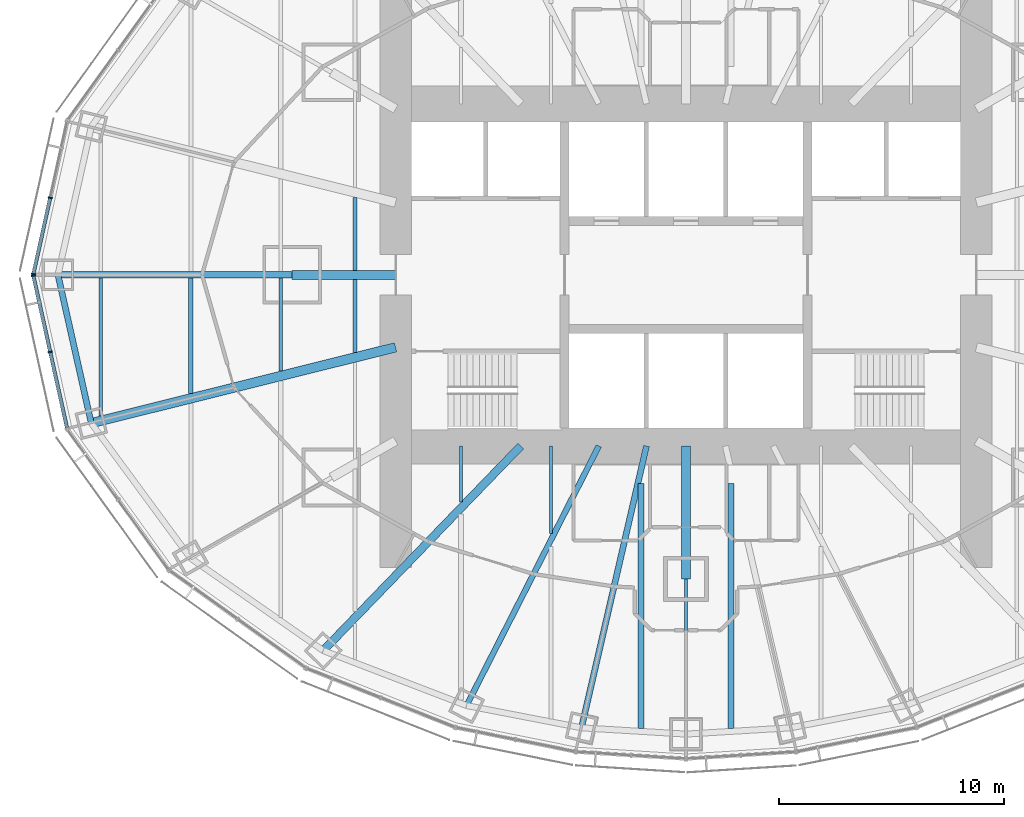
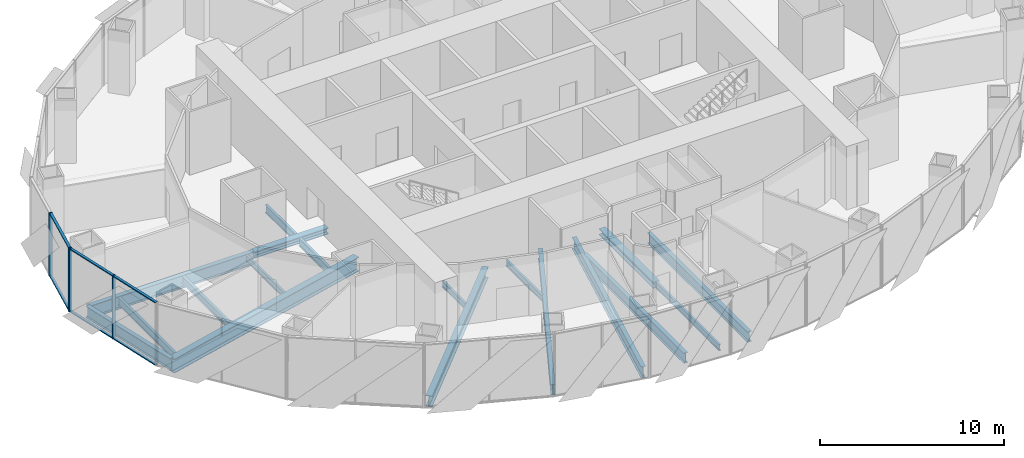
# One storey, part 3 of 17: 18 beams, 10 members, 2 elements without a shape of their own.
"""IFC4 building model written with IfcOpenShell, lengths in metres."""

import ifcopenshell
import ifcopenshell.guid

model = None  # the IFC model being written
_history = None  # IfcOwnerHistory: only IFC2X3 demands one
_inside = {}  # id of a spatial element -> (the spatial element, [elements in it])
_under = {}  # id of a project, library or spatial element -> (it, [spatial elements below it])
_declared = {}  # id of a project -> (the project, [libraries it declares])
_typed = {}  # id of a type object -> (the type object, [elements of that type])
_made_of = {}  # id of a material, layer set ... -> (it, [elements and type objects made of it])


def new_model(schema):
    """Start an empty IFC model of exactly this schema.

    Asked for "IFC4X3", IfcOpenShell would pick the latest addendum, in which some entities
    have other attributes; the version numbers below select the first issue.
    IFC2X3 requires an IfcOwnerHistory on every rooted entity: one is made here for all.
    """
    global model, _history
    if schema == "IFC4X3":
        model = ifcopenshell.file(schema_version=(4, 3, 0, 0))
    else:
        model = ifcopenshell.file(schema=schema)
    _inside.clear()
    _under.clear()
    _declared.clear()
    _typed.clear()
    _made_of.clear()
    _history = None
    if model.schema == "IFC2X3":
        org = make("IfcOrganization", Name="unknown")
        user = make(
            "IfcPersonAndOrganization",
            ThePerson=make("IfcPerson", FamilyName="unknown"),
            TheOrganization=org,
        )
        app = make(
            "IfcApplication",
            ApplicationDeveloper=org,
            Version="unknown",
            ApplicationFullName="unknown",
            ApplicationIdentifier="unknown",
        )
        _history = make(
            "IfcOwnerHistory",
            OwningUser=user,
            OwningApplication=app,
            ChangeAction="ADDED",
            CreationDate=0,
        )
    return model


def make(cls, **values):
    """One entity of the class cls with the attributes given. An attribute that is None is left unset."""
    return model.create_entity(
        cls, **{name: value for name, value in values.items() if value is not None}
    )


def rooted(cls, **values):
    """An entity with a GlobalId (a new one), such as an element, a storey or a relation."""
    return make(cls, GlobalId=ifcopenshell.guid.new(), OwnerHistory=_history, **values)


def si_unit(unit_type, name, prefix=None):
    """IfcSIUnit, for example si_unit("LENGTHUNIT", "METRE", prefix="MILLI")."""
    return make("IfcSIUnit", UnitType=unit_type, Prefix=prefix, Name=name)


def assignment(units):
    """IfcUnitAssignment: the units of a project."""
    return None if units is None else make("IfcUnitAssignment", Units=units)


def point(xyz):
    """IfcCartesianPoint."""
    return None if xyz is None else make("IfcCartesianPoint", Coordinates=xyz)


def direction(xyz):
    """IfcDirection."""
    return None if xyz is None else make("IfcDirection", DirectionRatios=xyz)


def frame(location, z_axis=None, x_axis=None):
    """IfcAxis2Placement3D, a coordinate frame: its origin and axes. An axis left out is left unset."""
    return make(
        "IfcAxis2Placement3D",
        Location=point(location),
        Axis=direction(z_axis),
        RefDirection=direction(x_axis),
    )


def frame_2d(location, x_axis=None):
    """IfcAxis2Placement2D, a coordinate frame in the plane: its origin and x axis."""
    return make(
        "IfcAxis2Placement2D", Location=point(location), RefDirection=direction(x_axis)
    )


def origin():
    """The frame at (0, 0, 0) with its axes left unset."""
    return frame((0.0, 0.0, 0.0))


def origin_2d():
    """The frame at (0, 0) in the plane with its x axis left unset."""
    return frame_2d((0.0, 0.0))


def place(relative_to, where):
    """IfcLocalPlacement: puts the frame where relative to a parent placement (None: the world)."""
    return make(
        "IfcLocalPlacement", PlacementRelTo=relative_to, RelativePlacement=where
    )


def context(
    kind, dimensions, precision=None, world=None, true_north=None, identifier=None
):
    """IfcGeometricRepresentationContext, for example the 3D "Model" context."""
    return make(
        "IfcGeometricRepresentationContext",
        ContextIdentifier=identifier,
        ContextType=kind,
        CoordinateSpaceDimension=dimensions,
        Precision=precision,
        WorldCoordinateSystem=world,
        TrueNorth=true_north,
    )


def subcontext(parent, identifier, kind, view, scale=None):
    """IfcGeometricRepresentationSubContext, for example "Body" below "Model"."""
    return make(
        "IfcGeometricRepresentationSubContext",
        ContextIdentifier=identifier,
        ContextType=kind,
        ParentContext=parent,
        TargetScale=scale,
        TargetView=view,
    )


def project(units=None, contexts=None):
    """IfcProject with its units and contexts."""
    return rooted(
        "IfcProject",
        Name="project",
        RepresentationContexts=contexts,
        UnitsInContext=assignment(units),
    )


def spatial(cls, under=None, at=None, **own):
    """A site, building, storey or space (cls), placed at a placement, below another one or the project."""
    s = rooted(cls, ObjectPlacement=at, **own)
    if under is not None:
        _under.setdefault(under.id(), (under, []))[1].append(s)
    return s


def profile(cls, at=None, kind="AREA", **sizes):
    """A parametric profile (cls). Its sizes go by their IFC names, for example OverallWidth=200.0."""
    return make(cls, ProfileType=kind, Position=at, **sizes)


def rectangle(**sizes):
    """IfcRectangleProfileDef."""
    return profile("IfcRectangleProfileDef", **sizes)


def i_section(**sizes):
    """IfcIShapeProfileDef."""
    return profile("IfcIShapeProfileDef", **sizes)


def extrude(swept, where, along, depth):
    """IfcExtrudedAreaSolid: the profile swept, set in the frame where, extruded along a direction by depth."""
    return make(
        "IfcExtrudedAreaSolid",
        SweptArea=swept,
        Position=where,
        ExtrudedDirection=direction(along),
        Depth=depth,
    )


def shape(context_of_items, identifier, shape_type, items):
    """IfcShapeRepresentation: the items that make up one representation, for example the "Body"."""
    return make(
        "IfcShapeRepresentation",
        ContextOfItems=context_of_items,
        RepresentationIdentifier=identifier,
        RepresentationType=shape_type,
        Items=items,
    )


def material(Name=None, Category=None):
    """IfcMaterial."""
    return make("IfcMaterial", Name=Name, Category=Category)


def material_profile(
    of_material, cross_section, Name=None, Category=None, Priority=None
):
    """IfcMaterialProfile: a cross section and its material."""
    return make(
        "IfcMaterialProfile",
        Name=Name,
        Material=of_material,
        Profile=cross_section,
        Priority=Priority,
        Category=Category,
    )


def profile_set(profiles, Name=None, composite=None):
    """IfcMaterialProfileSet."""
    return make(
        "IfcMaterialProfileSet",
        Name=Name,
        MaterialProfiles=profiles,
        CompositeProfile=composite,
    )


def made_of(thing, what):
    """Note that an element or type object is made of a material, layer set ...; save() writes the relation."""
    if what is not None:
        _made_of.setdefault(what.id(), (what, []))[1].append(thing)
    return thing


def type_object(cls, material=None, **own):
    """A type object (cls), such as IfcWallType, which elements share."""
    return made_of(rooted(cls, **own), material)


def element(
    cls,
    number,
    at=None,
    inside=None,
    cuts=None,
    type_object=None,
    material=None,
    context=None,
    identifier="Body",
    shape_type=None,
    held_by="IfcProductDefinitionShape",
    body=None,
    shapes=None,
    **own,
):
    """One element of the class cls, such as IfcWall. Its Tag is "e" and its number.

    at: its placement. inside: the storey or other place that contains it. cuts: it is an
    opening in that element (IfcRelVoidsElement). A single representation is given by context,
    identifier, shape_type and body (its items); several are given by shapes. held_by: the class
    of the entity that holds the representations. save() writes the other relations.
    """
    e = rooted(cls, Tag="e%d" % number, ObjectPlacement=at, **own)
    if body is not None:
        shapes = [shape(context, identifier, shape_type, body)]
    if shapes is not None:
        e.Representation = make(held_by, Representations=shapes)
    if inside is not None:
        _inside.setdefault(inside.id(), (inside, []))[1].append(e)
    if cuts is not None:
        rooted(
            "IfcRelVoidsElement", RelatingBuildingElement=cuts, RelatedOpeningElement=e
        )
    if type_object is not None:
        _typed.setdefault(type_object.id(), (type_object, []))[1].append(e)
    return made_of(e, material)


def aggregate(whole, parts):
    """IfcRelAggregates: a whole, such as a stair, and the parts it consists of."""
    return rooted("IfcRelAggregates", RelatingObject=whole, RelatedObjects=parts)


def save(model, path):
    """Write the relations noted so far, then the file.

    IfcRelAggregates (storeys below a building ...), IfcRelContainedInSpatialStructure (elements
    in a storey), IfcRelDefinesByType, IfcRelAssociatesMaterial and IfcRelDeclares: one each for
    every whole, place, type object, material and project.
    """
    for whole, parts in _under.values():
        aggregate(whole, parts)
    for where, things in _inside.values():
        rooted(
            "IfcRelContainedInSpatialStructure",
            RelatedElements=things,
            RelatingStructure=where,
        )
    for kind, things in _typed.values():
        rooted("IfcRelDefinesByType", RelatedObjects=things, RelatingType=kind)
    for what, things in _made_of.values():
        rooted("IfcRelAssociatesMaterial", RelatedObjects=things, RelatingMaterial=what)
    for by, libraries in _declared.values():
        rooted("IfcRelDeclares", RelatingContext=by, RelatedDefinitions=libraries)
    model.write(path)


model = new_model("IFC4")

# Units and contexts
model_context = context("Model", 3, precision=1e-05, world=origin(), true_north=direction((0.0, 1.0)))
body_context = subcontext(model_context, "Body", "Model", "MODEL_VIEW")
ifc_project = project(units=[si_unit("LENGTHUNIT", "METRE"), si_unit("AREAUNIT", "SQUARE_METRE"), si_unit("VOLUMEUNIT", "CUBIC_METRE"), si_unit("PLANEANGLEUNIT", "RADIAN"), si_unit("MASSUNIT", "GRAM", prefix="KILO")], contexts=[model_context])

# Site, building, storey
site_placement = place(None, origin())
site = spatial("IfcSite", under=ifc_project, at=site_placement, CompositionType="ELEMENT")
building_placement = place(site_placement, origin())
building = spatial("IfcBuilding", under=site, at=building_placement, Name="Lantaw Convention Tower", CompositionType="ELEMENT")
storey_placement = place(building_placement, frame((0.0, 0.0, 159.39990234375)))
storey = spatial("IfcBuildingStorey", under=building, at=storey_placement, Name="L37", CompositionType="ELEMENT", Elevation=159.39990234375)

# Beams
ifc_material_1 = material(Name="Steel ASTM A992", Category="steel")
ifc_material_profile_1 = material_profile(ifc_material_1, i_section(OverallWidth=0.2666015625, OverallDepth=0.76953125, WebThickness=0.015625, FlangeThickness=0.025390625, FilletRadius=0.0126953125, at=origin_2d()), Name="W30X132")
ifc_profile_set_1 = profile_set([ifc_material_profile_1], Name="Steel ASTM A992")
beam_type_1 = type_object("IfcBeamType", Name="Beam E W30X132", PredefinedType="SPANDREL", material=ifc_profile_set_1)
beam_1_placement = place(storey_placement, frame((-27.89990234375, 0.0, -0.53466796875), z_axis=(0.219211877447, -0.975677279015, 0.0), x_axis=(0.975677279015, 0.219211877447, 0.0)))
element("IfcBeam", 1, at=beam_1_placement, inside=storey, type_object=beam_type_1, Name="Edge beam 13", PredefinedType="SPANDREL", context=body_context, shape_type="SweptSolid", body=[
    extrude(i_section(OverallWidth=0.2666015625, OverallDepth=0.76953125, WebThickness=0.015625, FlangeThickness=0.025390625, FilletRadius=0.0126953125, at=origin_2d()), origin(), (0.0, 0.0, 1.0), 6.75146484375),
])
ifc_material_profile_2 = material_profile(ifc_material_1, i_section(OverallWidth=0.140380859375, OverallDepth=0.40380859375, WebThickness=0.007080078125, FlangeThickness=0.01123046875, FilletRadius=0.01025390625, at=origin_2d()), Name="W16X31")
ifc_profile_set_2 = profile_set([ifc_material_profile_2], Name="Steel ASTM A992")
beam_type_2 = type_object("IfcBeamType", Name="Beam G W16X31", PredefinedType="BEAM", material=ifc_profile_set_2)
beam_2_placement = place(storey_placement, frame((0.0, -13.5, -0.351806640625), z_axis=(0.0, -1.0, 0.0), x_axis=(1.0, 0.0, 0.0)))
element("IfcBeam", 2, at=beam_2_placement, inside=storey, type_object=beam_type_2, Name="Floor girder on ray 19", PredefinedType="BEAM", context=body_context, shape_type="SweptSolid", body=[
    extrude(i_section(OverallWidth=0.140380859375, OverallDepth=0.40380859375, WebThickness=0.007080078125, FlangeThickness=0.01123046875, FilletRadius=0.01025390625, at=origin_2d()), origin(), (0.0, 0.0, 1.0), 6.89990234375),
])
ifc_material_profile_3 = material_profile(ifc_material_1, i_section(OverallWidth=0.25390625, OverallDepth=0.700927734375, WebThickness=0.015380859375, FlangeThickness=0.02783203125, FilletRadius=0.01513671875, at=origin_2d()), Name="W27X129")
ifc_profile_set_3 = profile_set([ifc_material_profile_3], Name="Steel ASTM A992")
beam_type_3 = type_object("IfcBeamType", Name="Beam G W27X129", PredefinedType="BEAM", material=ifc_profile_set_3)
beam_3_placement = place(storey_placement, frame((-3.872314453125, -7.60009765625, -0.50048828125), z_axis=(-0.453991051051, -0.891006243281, 0.0), x_axis=(0.891006243281, -0.453991051051, 0.0)))
element("IfcBeam", 3, at=beam_3_placement, inside=storey, type_object=beam_type_3, Name="Floor girder on ray 17", PredefinedType="BEAM", context=body_context, shape_type="SweptSolid", body=[
    extrude(i_section(OverallWidth=0.25390625, OverallDepth=0.700927734375, WebThickness=0.015380859375, FlangeThickness=0.02783203125, FilletRadius=0.01513671875, at=origin_2d()), origin(), (0.0, 0.0, 1.0), 12.943359375),
])
ifc_material_profile_4 = material_profile(ifc_material_1, i_section(OverallWidth=0.360595703125, OverallDepth=0.72900390625, WebThickness=0.023193359375, FlangeThickness=0.041015625, FilletRadius=0.0126953125, at=origin_2d()), Name="W27X235")
ifc_profile_set_4 = profile_set([ifc_material_profile_4], Name="Steel ASTM A992")
beam_type_4 = type_object("IfcBeamType", Name="Beam G W27X235", PredefinedType="BEAM", material=ifc_profile_set_4)
beam_4_placement = place(storey_placement, frame((-7.33935546875, -7.60009765625, -0.514404296875), z_axis=(-0.694663467407, -0.719334878239, 0.0), x_axis=(0.719334878239, -0.694663467407, 0.0)))
element("IfcBeam", 4, at=beam_4_placement, inside=storey, type_object=beam_type_4, Name="Floor girder on ray 16", PredefinedType="BEAM", context=body_context, shape_type="SweptSolid", body=[
    extrude(i_section(OverallWidth=0.360595703125, OverallDepth=0.72900390625, WebThickness=0.023193359375, FlangeThickness=0.041015625, FilletRadius=0.0126953125, at=origin_2d()), origin(), (0.0, 0.0, 1.0), 12.63671875),
])
ifc_material_profile_5 = material_profile(ifc_material_1, i_section(OverallWidth=0.2666015625, OverallDepth=0.7568359375, WebThickness=0.013916015625, FlangeThickness=0.019287109375, FilletRadius=0.0126953125, at=origin_2d()), Name="W30X108")
ifc_profile_set_5 = profile_set([ifc_material_profile_5], Name="Steel ASTM A992")
beam_type_5 = type_object("IfcBeamType", Name="Beam G W30X108", PredefinedType="BEAM", material=ifc_profile_set_5)
beam_5_placement = place(storey_placement, frame((-1.754638671875, -7.60009765625, -0.5283203125), z_axis=(-0.224944153104, -0.974371658036, 0.0), x_axis=(0.974371658036, -0.224944153104, 0.0)))
element("IfcBeam", 5, at=beam_5_placement, inside=storey, type_object=beam_type_5, Name="Floor girder on ray 18", PredefinedType="BEAM", context=body_context, shape_type="SweptSolid", body=[
    extrude(i_section(OverallWidth=0.2666015625, OverallDepth=0.7568359375, WebThickness=0.013916015625, FlangeThickness=0.019287109375, FilletRadius=0.0126953125, at=origin_2d()), origin(), (0.0, 0.0, 1.0), 12.849365234375),
])
ifc_material_profile_6 = material_profile(ifc_material_1, i_section(OverallWidth=0.2919921875, OverallDepth=0.845703125, WebThickness=0.015380859375, FlangeThickness=0.0244140625, FilletRadius=0.01513671875, at=origin_2d()), Name="W33X141")
ifc_profile_set_6 = profile_set([ifc_material_profile_6], Name="Steel ASTM A992")
beam_type_6 = type_object("IfcBeamType", Name="Beam G W33X141", PredefinedType="BEAM", material=ifc_profile_set_6)
beam_6_placement = place(storey_placement, frame((-17.5, 0.0, -0.57275390625), z_axis=(-1.0, 0.0, 0.0), x_axis=(0.0, -1.0, 0.0)))
element("IfcBeam", 6, at=beam_6_placement, inside=storey, type_object=beam_type_6, Name="Floor girder on ray 13", PredefinedType="BEAM", context=body_context, shape_type="SweptSolid", body=[
    extrude(i_section(OverallWidth=0.2919921875, OverallDepth=0.845703125, WebThickness=0.015380859375, FlangeThickness=0.0244140625, FilletRadius=0.01513671875, at=origin_2d()), origin(), (0.0, 0.0, 1.0), 10.39990234375),
])
ifc_material_profile_7 = material_profile(ifc_material_1, i_section(OverallWidth=0.421630859375, OverallDepth=0.937255859375, WebThickness=0.0224609375, FlangeThickness=0.039794921875, FilletRadius=0.02001953125, at=origin_2d()), Name="W36X282")
ifc_profile_set_7 = profile_set([ifc_material_profile_7], Name="Steel ASTM A992")
beam_type_7 = type_object("IfcBeamType", Name="Beam G W36X282", PredefinedType="BEAM", material=ifc_profile_set_7)
beam_7_placement = place(storey_placement, frame((-12.89990234375, -3.21630859375, -0.61865234375), z_axis=(-0.970296903132, -0.24191717544, 0.0), x_axis=(0.24191717544, -0.970296903132, 0.0)))
element("IfcBeam", 7, at=beam_7_placement, inside=storey, type_object=beam_type_7, Name="Floor girder on ray 14", PredefinedType="BEAM", context=body_context, shape_type="SweptSolid", body=[
    extrude(i_section(OverallWidth=0.421630859375, OverallDepth=0.937255859375, WebThickness=0.0224609375, FlangeThickness=0.039794921875, FilletRadius=0.02001953125, at=origin_2d()), origin(), (0.0, 0.0, 1.0), 13.933837890625),
])
ifc_material_profile_8 = material_profile(ifc_material_1, i_section(OverallWidth=0.40380859375, OverallDepth=0.406494140625, WebThickness=0.027099609375, FlangeThickness=0.043701171875, FilletRadius=0.01513671875, at=origin_2d()), Name="W14X233")
ifc_profile_set_8 = profile_set([ifc_material_profile_8], Name="Steel ASTM A992")
beam_type_8 = type_object("IfcBeamType", Name="Beam GM W14X233", PredefinedType="BEAM", material=ifc_profile_set_8)
beam_8_placement = place(storey_placement, frame((-12.89990234375, 0.0, -0.35302734375), z_axis=(-1.0, 0.0, 0.0), x_axis=(0.0, -1.0, 0.0)))
element("IfcBeam", 8, at=beam_8_placement, inside=storey, type_object=beam_type_8, Name="Core link beam on ray 13", PredefinedType="BEAM", context=body_context, shape_type="SweptSolid", body=[
    extrude(i_section(OverallWidth=0.40380859375, OverallDepth=0.406494140625, WebThickness=0.027099609375, FlangeThickness=0.043701171875, FilletRadius=0.01513671875, at=origin_2d()), origin(), (0.0, 0.0, 1.0), 4.60009765625),
])
beam_9_placement = place(storey_placement, frame((0.0, -7.60009765625, -0.35302734375), z_axis=(0.0, -1.0, 0.0), x_axis=(1.0, 0.0, 0.0)))
element("IfcBeam", 9, at=beam_9_placement, inside=storey, type_object=beam_type_8, Name="Core link beam on ray 19", PredefinedType="BEAM", context=body_context, shape_type="SweptSolid", body=[
    extrude(i_section(OverallWidth=0.40380859375, OverallDepth=0.406494140625, WebThickness=0.027099609375, FlangeThickness=0.043701171875, FilletRadius=0.01513671875, at=origin_2d()), origin(), (0.0, 0.0, 1.0), 5.89990234375),
])
ifc_material_profile_9 = material_profile(ifc_material_1, i_section(OverallWidth=0.140380859375, OverallDepth=0.40380859375, WebThickness=0.007080078125, FlangeThickness=0.01123046875, FilletRadius=0.01025390625, at=origin_2d()), Name="W16X31")
ifc_profile_set_9 = profile_set([ifc_material_profile_9], Name="Steel ASTM A992")
beam_type_9 = type_object("IfcBeamType", Name="Beam J W16X31", PredefinedType="JOIST", material=ifc_profile_set_9)
beam_10_placement = place(storey_placement, frame((-18.0, -4.270751953125, -0.351806640625), z_axis=(0.0, 1.0, 0.0), x_axis=(-1.0, 0.0, 0.0)))
element("IfcBeam", 10, at=beam_10_placement, inside=storey, type_object=beam_type_9, Name="Floor joist", PredefinedType="JOIST", context=body_context, shape_type="SweptSolid", body=[
    extrude(i_section(OverallWidth=0.140380859375, OverallDepth=0.40380859375, WebThickness=0.007080078125, FlangeThickness=0.01123046875, FilletRadius=0.01025390625, at=origin_2d()), origin(), (0.0, 0.0, 1.0), 4.124755859375),
])
beam_11_placement = place(storey_placement, frame((-10.0, -10.095703125, -0.351806640625), z_axis=(0.0, 1.0, 0.0), x_axis=(-1.0, 0.0, 0.0)))
element("IfcBeam", 11, at=beam_11_placement, inside=storey, type_object=beam_type_9, Name="Floor joist", PredefinedType="JOIST", context=body_context, shape_type="SweptSolid", body=[
    extrude(i_section(OverallWidth=0.140380859375, OverallDepth=0.40380859375, WebThickness=0.007080078125, FlangeThickness=0.01123046875, FilletRadius=0.01025390625, at=origin_2d()), origin(), (0.0, 0.0, 1.0), 2.49560546875),
])
beam_12_placement = place(storey_placement, frame((-6.0, -11.495849609375, -0.351806640625), z_axis=(0.0, 1.0, 0.0), x_axis=(-1.0, 0.0, 0.0)))
element("IfcBeam", 12, at=beam_12_placement, inside=storey, type_object=beam_type_9, Name="Floor joist", PredefinedType="JOIST", context=body_context, shape_type="SweptSolid", body=[
    extrude(i_section(OverallWidth=0.140380859375, OverallDepth=0.40380859375, WebThickness=0.007080078125, FlangeThickness=0.01123046875, FilletRadius=0.01025390625, at=origin_2d()), origin(), (0.0, 0.0, 1.0), 3.895751953125),
])
ifc_material_profile_10 = material_profile(ifc_material_1, i_section(OverallWidth=0.1904296875, OverallDepth=0.457275390625, WebThickness=0.009033203125, FlangeThickness=0.014404296875, FilletRadius=0.01025390625, at=origin_2d()), Name="W18X50")
ifc_profile_set_10 = profile_set([ifc_material_profile_10], Name="Steel ASTM A992")
beam_type_10 = type_object("IfcBeamType", Name="Beam J W18X50", PredefinedType="JOIST", material=ifc_profile_set_10)
beam_13_placement = place(storey_placement, frame((-22.0, -5.267822265625, -0.37841796875), z_axis=(0.0, 1.0, 0.0), x_axis=(-1.0, 0.0, 0.0)))
element("IfcBeam", 13, at=beam_13_placement, inside=storey, type_object=beam_type_10, Name="Floor joist", PredefinedType="JOIST", context=body_context, shape_type="SweptSolid", body=[
    extrude(i_section(OverallWidth=0.1904296875, OverallDepth=0.457275390625, WebThickness=0.009033203125, FlangeThickness=0.014404296875, FilletRadius=0.01025390625, at=origin_2d()), origin(), (0.0, 0.0, 1.0), 5.121826171875),
])
ifc_material_profile_11 = material_profile(ifc_material_1, i_section(OverallWidth=0.1650390625, OverallDepth=0.52587890625, WebThickness=0.0087890625, FlangeThickness=0.011474609375, FilletRadius=0.0126953125, at=origin_2d()), Name="W21X44")
ifc_profile_set_11 = profile_set([ifc_material_profile_11], Name="Steel ASTM A992")
beam_type_11 = type_object("IfcBeamType", Name="Beam J W21X44", PredefinedType="JOIST", material=ifc_profile_set_11)
beam_14_placement = place(storey_placement, frame((-26.0, -6.26513671875, -0.412841796875), z_axis=(0.0, 1.0, 0.0), x_axis=(-1.0, 0.0, 0.0)))
element("IfcBeam", 14, at=beam_14_placement, inside=storey, type_object=beam_type_11, Name="Floor joist", PredefinedType="JOIST", context=body_context, shape_type="SweptSolid", body=[
    extrude(i_section(OverallWidth=0.1650390625, OverallDepth=0.52587890625, WebThickness=0.0087890625, FlangeThickness=0.011474609375, FilletRadius=0.0126953125, at=origin_2d()), origin(), (0.0, 0.0, 1.0), 6.119140625),
])
ifc_material_profile_12 = material_profile(ifc_material_1, i_section(OverallWidth=0.165771484375, OverallDepth=0.5283203125, WebThickness=0.009765625, FlangeThickness=0.013671875, FilletRadius=0.012939453125, at=origin_2d()), Name="W21X50")
ifc_profile_set_12 = profile_set([ifc_material_profile_12], Name="Steel ASTM A992")
beam_type_12 = type_object("IfcBeamType", Name="Beam J W21X50", PredefinedType="JOIST", material=ifc_profile_set_12)
for number, where, z_axis, x_axis, name in (
    (15, (-14.699951171875, -3.44775390625, -0.4140625), (0.0, 1.0, 0.0), (-1.0, 0.0, 0.0), "Floor joist"),
    (16, (-14.699951171875, 0.201904296875, -0.4140625), (0.0, 1.0, 0.0), (-1.0, 0.0, 0.0), "Floor joist"),
):
    element("IfcBeam", number, at=place(storey_placement, frame(where, z_axis=z_axis, x_axis=x_axis)), inside=storey, type_object=beam_type_12, Name=name, PredefinedType="JOIST", context=body_context, shape_type="SweptSolid", body=[
        extrude(i_section(OverallWidth=0.165771484375, OverallDepth=0.5283203125, WebThickness=0.009765625, FlangeThickness=0.013671875, FilletRadius=0.012939453125, at=origin_2d()), origin(), (0.0, 0.0, 1.0), 3.245849609375),
    ])
ifc_material_profile_13 = material_profile(ifc_material_1, i_section(OverallWidth=0.25390625, OverallDepth=0.683349609375, WebThickness=0.012451171875, FlangeThickness=0.01904296875, FilletRadius=0.01513671875, at=origin_2d()), Name="W27X94")
ifc_profile_set_13 = profile_set([ifc_material_profile_13], Name="Steel ASTM A992")
beam_type_13 = type_object("IfcBeamType", Name="Beam J W27X94", PredefinedType="JOIST", material=ifc_profile_set_13)
for number, where, z_axis, x_axis, name in (
    (17, (-2.0, -20.145751953125, -0.491455078125), (0.0, 1.0, 0.0), (-1.0, 0.0, 0.0), "Floor joist"),
    (18, (2.0, -20.145751953125, -0.491455078125), (0.0, 1.0, 0.0), (-1.0, 0.0, 0.0), "Floor joist"),
):
    element("IfcBeam", number, at=place(storey_placement, frame(where, z_axis=z_axis, x_axis=x_axis)), inside=storey, type_object=beam_type_13, Name=name, PredefinedType="JOIST", context=body_context, shape_type="SweptSolid", body=[
        extrude(i_section(OverallWidth=0.25390625, OverallDepth=0.683349609375, WebThickness=0.012451171875, FlangeThickness=0.01904296875, FilletRadius=0.01513671875, at=origin_2d()), origin(), (0.0, 0.0, 1.0), 10.889892578125),
    ])

# Curtain wall, members
ifc_material_2 = material(Name="Aluminium framed curtain wall", Category="aluminium")
curtain_wall_type = type_object("IfcCurtainWallType", Name="Office curtain wall low rise, pale aluminium", PredefinedType="USERDEFINED", material=ifc_material_2)
curtain_wall_1_placement = place(storey_placement, origin())
curtain_wall_1 = element("IfcCurtainWall", 19, at=curtain_wall_1_placement, inside=storey, type_object=curtain_wall_type, Name="Office curtain wall low rise, pale aluminium L37", ObjectType="UNITISED CURTAIN WALL", PredefinedType="USERDEFINED")
ifc_material_3 = material(Name="Aluminium 6063-T6", Category="aluminium")
ifc_material_profile_14 = material_profile(ifc_material_3, rectangle(XDim=0.199951171875, YDim=0.06494140625, at=origin_2d()), Name="CW-O1 mullion 65x200")
ifc_profile_set_14 = profile_set([ifc_material_profile_14], Name="Aluminium 6063-T6")
member_type_1 = type_object("IfcMemberType", Name="CW-O1 mullion 65x200", PredefinedType="MULLION", material=ifc_profile_set_14)
member_1_placement = place(storey_placement, frame((-28.24365234375, 3.4267578125, -0.14990234375), z_axis=(0.0, 0.0, 1.0), x_axis=(0.9764936509, -0.215546166174, 0.0)))
member_1 = element("IfcMember", 20, at=member_1_placement, type_object=member_type_1, Name="CW-O1 mullion 2", PredefinedType="MULLION", context=body_context, shape_type="SweptSolid", body=[
    extrude(rectangle(XDim=0.199951171875, YDim=0.06494140625, at=origin_2d()), origin(), (0.0, 0.0, 1.0), 4.199951171875),
])
member_2_placement = place(storey_placement, frame((-28.992919921875, 0.03173828125, -0.14990234375), z_axis=(0.0, 0.0, 1.0), x_axis=(0.9764936509, -0.215546166174, 0.0)))
member_2 = element("IfcMember", 21, at=member_2_placement, type_object=member_type_1, Name="CW-O1 mullion 3", PredefinedType="MULLION", context=body_context, shape_type="SweptSolid", body=[
    extrude(rectangle(XDim=0.199951171875, YDim=0.06494140625, at=origin_2d()), origin(), (0.0, 0.0, 1.0), 4.199951171875),
])

curtain_wall_2_placement = place(storey_placement, origin())
curtain_wall_2 = element("IfcCurtainWall", 22, at=curtain_wall_2_placement, inside=storey, type_object=curtain_wall_type, Name="Office curtain wall low rise, pale aluminium L37", ObjectType="UNITISED CURTAIN WALL", PredefinedType="USERDEFINED")
member_3_placement = place(storey_placement, frame((-28.992919921875, -0.03173828125, -0.14990234375), z_axis=(0.0, 0.0, 1.0), x_axis=(0.9764936509, 0.215546166174, 0.0)))
member_3 = element("IfcMember", 23, at=member_3_placement, type_object=member_type_1, Name="CW-O1 mullion 1", PredefinedType="MULLION", context=body_context, shape_type="SweptSolid", body=[
    extrude(rectangle(XDim=0.199951171875, YDim=0.06494140625, at=origin_2d()), origin(), (0.0, 0.0, 1.0), 4.199951171875),
])
member_4_placement = place(storey_placement, frame((-28.24365234375, -3.4267578125, -0.14990234375), z_axis=(0.0, 0.0, 1.0), x_axis=(0.9764936509, 0.215546166174, 0.0)))
member_4 = element("IfcMember", 24, at=member_4_placement, type_object=member_type_1, Name="CW-O1 mullion 2", PredefinedType="MULLION", context=body_context, shape_type="SweptSolid", body=[
    extrude(rectangle(XDim=0.199951171875, YDim=0.06494140625, at=origin_2d()), origin(), (0.0, 0.0, 1.0), 4.199951171875),
])

# Member
ifc_material_profile_15 = material_profile(ifc_material_3, rectangle(XDim=0.159912109375, YDim=0.06494140625, at=origin_2d()), Name="CW-O1 transom 65x160")
ifc_profile_set_15 = profile_set([ifc_material_profile_15], Name="Aluminium 6063-T6")
member_type_2 = type_object("IfcMemberType", Name="CW-O1 transom 65x160", PredefinedType="USERDEFINED", material=ifc_profile_set_15)
member_5_placement = place(storey_placement, frame((-28.250732421875, 3.39501953125, -0.117431640625), z_axis=(-0.215536096386, -0.976495873598, 0.0), x_axis=(0.976495873598, -0.215536096386, 0.0)))
member_5 = element("IfcMember", 25, at=member_5_placement, type_object=member_type_2, Name="CW-O1 transom 2.1", ObjectType="TRANSOM", PredefinedType="USERDEFINED", context=body_context, shape_type="SweptSolid", body=[
    extrude(rectangle(XDim=0.159912109375, YDim=0.06494140625, at=origin_2d()), origin(), (0.0, 0.0, 1.0), 3.41162109375),
])

member_6_placement = place(storey_placement, frame((-28.250732421875, 3.39501953125, 4.017578125), z_axis=(-0.215536096386, -0.976495873598, 0.0), x_axis=(0.976495873598, -0.215536096386, 0.0)))
member_6 = element("IfcMember", 26, at=member_6_placement, type_object=member_type_2, Name="CW-O1 transom 2.2", ObjectType="TRANSOM", PredefinedType="USERDEFINED", context=body_context, shape_type="SweptSolid", body=[
    extrude(rectangle(XDim=0.159912109375, YDim=0.06494140625, at=origin_2d()), origin(), (0.0, 0.0, 1.0), 3.41162109375),
])

aggregate(curtain_wall_1, [member_1, member_2, member_5, member_6])

member_7_placement = place(storey_placement, frame((-28.986083984375, -0.0634765625, -0.117431640625), z_axis=(0.215536096386, -0.976495873598, 0.0), x_axis=(0.976495873598, 0.215536096386, 0.0)))
member_7 = element("IfcMember", 27, at=member_7_placement, type_object=member_type_2, Name="CW-O1 transom 1.1", ObjectType="TRANSOM", PredefinedType="USERDEFINED", context=body_context, shape_type="SweptSolid", body=[
    extrude(rectangle(XDim=0.159912109375, YDim=0.06494140625, at=origin_2d()), origin(), (0.0, 0.0, 1.0), 3.41162109375),
])

member_8_placement = place(storey_placement, frame((-28.986083984375, -0.0634765625, 4.017578125), z_axis=(0.215536096386, -0.976495873598, 0.0), x_axis=(0.976495873598, 0.215536096386, 0.0)))
member_8 = element("IfcMember", 28, at=member_8_placement, type_object=member_type_2, Name="CW-O1 transom 1.2", ObjectType="TRANSOM", PredefinedType="USERDEFINED", context=body_context, shape_type="SweptSolid", body=[
    extrude(rectangle(XDim=0.159912109375, YDim=0.06494140625, at=origin_2d()), origin(), (0.0, 0.0, 1.0), 3.41162109375),
])

member_9_placement = place(storey_placement, frame((-28.236572265625, -3.45849609375, -0.117431640625), z_axis=(0.21555115847, -0.976492548913, 0.0), x_axis=(0.976492548913, 0.21555115847, 0.0)))
member_9 = element("IfcMember", 29, at=member_9_placement, type_object=member_type_2, Name="CW-O1 transom 2.1", ObjectType="TRANSOM", PredefinedType="USERDEFINED", context=body_context, shape_type="SweptSolid", body=[
    extrude(rectangle(XDim=0.159912109375, YDim=0.06494140625, at=origin_2d()), origin(), (0.0, 0.0, 1.0), 3.411376953125),
])

member_10_placement = place(storey_placement, frame((-28.236572265625, -3.45849609375, 4.017578125), z_axis=(0.21555115847, -0.976492548913, 0.0), x_axis=(0.976492548913, 0.21555115847, 0.0)))
member_10 = element("IfcMember", 30, at=member_10_placement, type_object=member_type_2, Name="CW-O1 transom 2.2", ObjectType="TRANSOM", PredefinedType="USERDEFINED", context=body_context, shape_type="SweptSolid", body=[
    extrude(rectangle(XDim=0.159912109375, YDim=0.06494140625, at=origin_2d()), origin(), (0.0, 0.0, 1.0), 3.411376953125),
])

aggregate(curtain_wall_2, [member_3, member_4, member_7, member_8, member_9, member_10])

save(model, "model.ifc")
